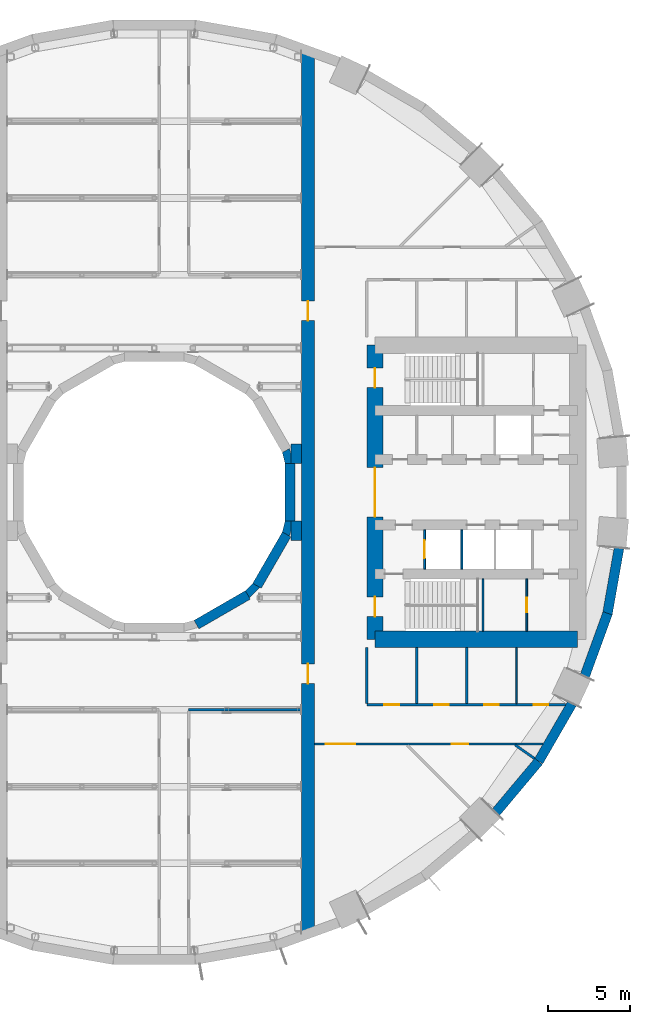
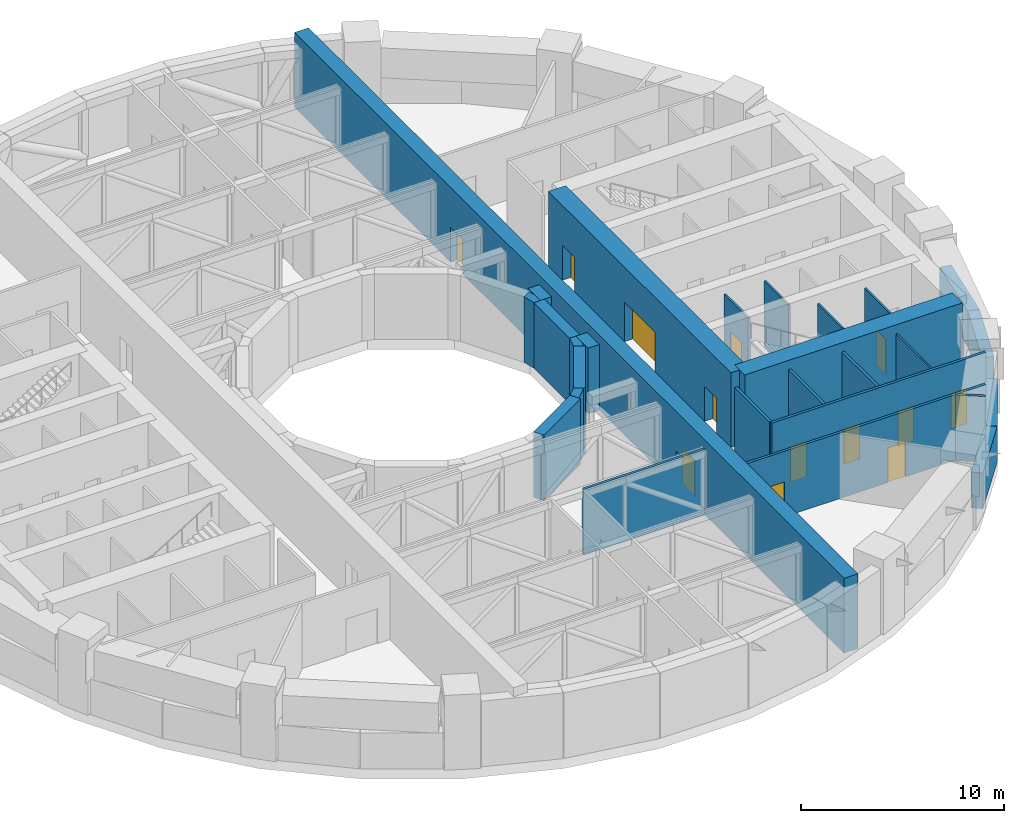
# One storey, part 15 of 21: 27 walls, 13 doors, 13 openings.
"""IFC4 building model written with IfcOpenShell, lengths in metres."""

from ifc_helpers import new_model, si_unit, direction, frame, frame_2d, origin, place, context, subcontext, project, spatial, polyline, rectangle, outline, extrude, material, layer, layer_set, type_object, element, fill, save


model = new_model("IFC4")

# Units and contexts
model_context = context("Model", 3, precision=1e-05, world=origin(), true_north=direction((0.0, 1.0)))
body_context = subcontext(model_context, "Body", "Model", "MODEL_VIEW")
ifc_project = project(units=[si_unit("LENGTHUNIT", "METRE"), si_unit("AREAUNIT", "SQUARE_METRE"), si_unit("VOLUMEUNIT", "CUBIC_METRE"), si_unit("PLANEANGLEUNIT", "RADIAN"), si_unit("MASSUNIT", "GRAM", prefix="KILO")], contexts=[model_context])

# Site, building, storey
site_placement = place(None, origin())
site = spatial("IfcSite", under=ifc_project, at=site_placement, CompositionType="ELEMENT")
building_placement = place(site_placement, origin())
building = spatial("IfcBuilding", under=site, at=building_placement, Name="Saqina Gate Tower", CompositionType="ELEMENT")
storey_placement = place(building_placement, frame((0.0, 0.0, 21.800048828125)))
storey = spatial("IfcBuildingStorey", under=building, at=storey_placement, Name="L05", CompositionType="ELEMENT", Elevation=21.800048828125)

# Wall, opening, door
ifc_material_1 = material(Name="Gypsum board on steel studs", Category="steel")
ifc_layer_1 = layer(ifc_material_1, 0.10009765625)
ifc_layer_set_1 = layer_set([ifc_layer_1], Name="CORE PARTITION")
wall_type_1 = type_object("IfcWallType", Name="CORE PARTITION", PredefinedType="PARTITIONING", material=ifc_layer_set_1)
wall_1_placement = place(storey_placement, frame((22.780029296875, -8.5, 0.0), z_axis=(0.0, 0.0, 1.0), x_axis=(0.0, 1.0, 0.0)))
wall_1 = element("IfcWall", 1, at=wall_1_placement, inside=storey, type_object=wall_type_1, Name="L05-CP-E13", PredefinedType="PARTITIONING", context=body_context, shape_type="SweptSolid", body=[
    extrude(rectangle(XDim=3.199951171875, YDim=0.10009765625, at=frame_2d((1.60009765625, 0.0))), origin(), (0.0, 0.0, 1.0), 3.949951171875),
])
opening_1_placement = place(wall_1_placement, frame((1.14990234375, 0.0, 0.0)))
opening_1 = element("IfcOpeningElement", 2, at=opening_1_placement, cuts=wall_1, Name="Opening L05-D99", PredefinedType="OPENING", context=body_context, shape_type="SweptSolid", body=[
    extrude(rectangle(XDim=0.89990234375, YDim=2.10009765625, at=frame_2d((0.449951171875, 1.050048828125))), frame((0.0, 0.06201171875, 0.0), z_axis=(0.0, -1.0, 0.0), x_axis=(1.0, 0.0, 0.0)), (0.0, 0.0, 1.0), 0.1240234375),
])
ifc_material_2 = material(Name="Steel-framed fire door leaf, EI 60", Category="steel")
door_type_1 = type_object("IfcDoorType", Name="SERVICE ROOM DOOR 900", OperationType="SINGLE_SWING_LEFT", PredefinedType="DOOR", material=ifc_material_2)
door_1_placement = place(opening_1_placement, origin())
door_1 = element("IfcDoor", 3, at=door_1_placement, inside=storey, type_object=door_type_1, Name="L05-CD-E10", OperationType="SINGLE_SWING_LEFT", OverallHeight=2.10009765625, OverallWidth=0.89990234375, PredefinedType="DOOR", context=body_context, shape_type="SweptSolid", body=[
    extrude(rectangle(XDim=0.89990234375, YDim=2.10009765625, at=frame_2d((0.449951171875, 1.050048828125))), frame((0.0, 0.02490234375, 0.0), z_axis=(0.0, -1.0, 0.0), x_axis=(1.0, 0.0, 0.0)), (0.0, 0.0, 1.0), 0.050048828125),
])
fill(opening_1, door_1)

# Walls
ifc_material_3 = material(Name="Brick masonry (red)", Category="masonry")
ifc_layer_2 = layer(ifc_material_3, 0.60009765625)
ifc_layer_set_2 = layer_set([ifc_layer_2], Name="FW-BRICK-RED")
wall_type_2 = type_object("IfcWallType", Name="FW-BRICK-RED", PredefinedType="SOLIDWALL", material=ifc_layer_set_2)
wall_2_placement = place(storey_placement, frame((20.890625, -19.5810546875, 0.0), z_axis=(0.0, 0.0, 1.0), x_axis=(0.642800844336, 0.766033337734, 0.0)))
element("IfcWall", 4, at=wall_2_placement, inside=storey, type_object=wall_type_2, Name="Facade wall L05 facet 32", PredefinedType="SOLIDWALL", context=body_context, shape_type="SweptSolid", body=[
    extrude(rectangle(XDim=4.0693359375, YDim=0.60009765625, at=frame_2d((2.03466796875, 0.0))), origin(), (0.0, 0.0, 1.0), 2.14990234375),
])
wall_3_placement = place(storey_placement, frame((23.510498046875, -16.457763671875, 0.0), z_axis=(0.0, 0.0, 1.0), x_axis=(0.500023678693, 0.866011732453, 0.0)))
element("IfcWall", 5, at=wall_3_placement, inside=storey, type_object=wall_type_2, Name="Facade wall L05 facet 33", PredefinedType="SOLIDWALL", context=body_context, shape_type="SweptSolid", body=[
    extrude(rectangle(XDim=4.069091796875, YDim=0.60009765625, at=frame_2d((2.03466796875, 0.0))), origin(), (0.0, 0.0, 1.0), 2.14990234375),
])
ifc_material_4 = material(Name="Glazed ceramic tile", Category="ceramic")
ifc_layer_3 = layer(ifc_material_4, 0.60009765625)
ifc_layer_set_3 = layer_set([ifc_layer_3], Name="FW-TILE")
wall_type_3 = type_object("IfcWallType", Name="FW-TILE", PredefinedType="SOLIDWALL", material=ifc_layer_set_3)
wall_4_placement = place(storey_placement, frame((26.327880859375, -11.255126953125, 0.0), z_axis=(0.0, 0.0, 1.0), x_axis=(0.342034744565, 0.939687306241, 0.0)))
element("IfcWall", 6, at=wall_4_placement, inside=storey, type_object=wall_type_3, Name="Facade wall L05 facet 34", PredefinedType="SOLIDWALL", context=body_context, shape_type="SweptSolid", body=[
    extrude(rectangle(XDim=4.099365234375, YDim=0.60009765625, at=frame_2d((2.0498046875, 0.0))), origin(), (0.0, 0.0, 1.0), 2.14990234375),
])
ifc_material_5 = material(Name="Glazed ceramic tile (white)", Category="ceramic")
ifc_layer_4 = layer(ifc_material_5, 0.60009765625)
ifc_layer_set_4 = layer_set([ifc_layer_4], Name="FW-TILE-WH")
wall_type_4 = type_object("IfcWallType", Name="FW-TILE-WH", PredefinedType="SOLIDWALL", material=ifc_layer_set_4)
wall_5_placement = place(storey_placement, frame((27.71630859375, -7.45361328125, 0.0), z_axis=(0.0, 0.0, 1.0), x_axis=(0.173673210505, 0.984803338719, 0.0)))
element("IfcWall", 7, at=wall_5_placement, inside=storey, type_object=wall_type_4, Name="Facade wall L05 facet 35", PredefinedType="SOLIDWALL", context=body_context, shape_type="SweptSolid", body=[
    extrude(rectangle(XDim=4.09912109375, YDim=0.60009765625, at=frame_2d((2.049560546875, 0.0))), origin(), (0.0, 0.0, 1.0), 2.14990234375),
])
ifc_material_6 = material(Name="Glazed ceramic tile", Category="ceramic")
ifc_layer_5 = layer(ifc_material_6, 0.60009765625)
ifc_layer_set_5 = layer_set([ifc_layer_5], Name="IW-TILE")
wall_type_5 = type_object("IfcWallType", Name="IW-TILE", PredefinedType="SOLIDWALL", material=ifc_layer_set_5)
for number, where, z_axis, x_axis, name in (
    (8, (2.580322265625, -8.09423828125, 0.0), (0.0, 0.0, 1.0), (0.866029693906, 0.499992569217, 0.0), "Well wall L05 facet 10"),
    (9, (6.28173828125, -5.7197265625, 0.0), (0.0, 0.0, 1.0), (0.499992569217, 0.866029693906, 0.0), "Well wall L05 facet 11"),
):
    element("IfcWall", number, at=place(storey_placement, frame(where, z_axis=z_axis, x_axis=x_axis)), inside=storey, type_object=wall_type_5, Name=name, PredefinedType="SOLIDWALL", context=body_context, shape_type="SweptSolid", body=[
        extrude(rectangle(XDim=3.625, YDim=0.60009765625, at=frame_2d((1.8125, 0.0))), origin(), (0.0, 0.0, 1.0), 3.949951171875),
    ])
wall_6_placement = place(storey_placement, frame((8.300048828125, -1.763671875, 0.0), z_axis=(0.0, 0.0, 1.0), x_axis=(0.0, 1.0, 0.0)))
element("IfcWall", 10, at=wall_6_placement, inside=storey, type_object=wall_type_5, Name="Well wall L05 facet 12", PredefinedType="SOLIDWALL", context=body_context, shape_type="SweptSolid", body=[
    extrude(rectangle(XDim=3.52734375, YDim=0.60009765625, at=frame_2d((1.763671875, 0.0))), origin(), (0.0, 0.0, 1.0), 3.949951171875),
])

# Wall, opening, door
ifc_material_7 = material(Name="Autoclaved aerated concrete block", Category="concrete")
ifc_layer_6 = layer(ifc_material_7, 0.1201171875)
ifc_layer_set_6 = layer_set([ifc_layer_6], Name="SHAFT PARTITION")
wall_type_6 = type_object("IfcWallType", Name="SHAFT PARTITION", PredefinedType="PARTITIONING", material=ifc_layer_set_6)
wall_7_placement = place(storey_placement, frame((16.530029296875, -4.699951171875, 0.0), z_axis=(0.0, 0.0, 1.0), x_axis=(0.0, 1.0, 0.0)))
wall_7 = element("IfcWall", 11, at=wall_7_placement, inside=storey, type_object=wall_type_6, Name="L05-CP-E05", PredefinedType="PARTITIONING", context=body_context, shape_type="SweptSolid", body=[
    extrude(rectangle(XDim=2.39990234375, YDim=0.1201171875, at=frame_2d((1.199951171875, 0.0))), origin(), (0.0, 0.0, 1.0), 3.949951171875),
])
opening_2_placement = place(wall_7_placement, frame((0.64990234375, 0.0, 0.0)))
opening_2 = element("IfcOpeningElement", 12, at=opening_2_placement, cuts=wall_7, Name="Opening L05-LD2", PredefinedType="OPENING", context=body_context, shape_type="SweptSolid", body=[
    extrude(rectangle(XDim=1.10009765625, YDim=2.10009765625, at=frame_2d((0.550048828125, 1.050048828125))), frame((0.0, 0.072021484375, 0.0), z_axis=(0.0, -1.0, 0.0), x_axis=(1.0, 0.0, 0.0)), (0.0, 0.0, 1.0), 0.14404296875),
])
ifc_material_8 = material(Name="Stainless steel", Category="steel")
door_type_2 = type_object("IfcDoorType", Name="LANDING DOOR", OperationType="DOUBLE_DOOR_SLIDING", PredefinedType="DOOR", material=ifc_material_8)
door_2_placement = place(opening_2_placement, origin())
door_2 = element("IfcDoor", 13, at=door_2_placement, inside=storey, type_object=door_type_2, Name="LANDING DOOR FF1", OperationType="DOUBLE_DOOR_SLIDING", OverallHeight=2.10009765625, OverallWidth=1.10009765625, PredefinedType="DOOR", context=body_context, shape_type="SweptSolid", body=[
    extrude(rectangle(XDim=1.10009765625, YDim=2.10009765625, at=frame_2d((0.550048828125, 1.050048828125))), frame((0.0, 0.02490234375, 0.0), z_axis=(0.0, -1.0, 0.0), x_axis=(1.0, 0.0, 0.0)), (0.0, 0.0, 1.0), 0.050048828125),
])
fill(opening_2, door_2)

# Walls
wall_8_placement = place(storey_placement, frame((18.81005859375, -4.699951171875, 0.0), z_axis=(0.0, 0.0, 1.0), x_axis=(0.0, 1.0, 0.0)))
element("IfcWall", 14, at=wall_8_placement, inside=storey, type_object=wall_type_6, Name="L05-CP-E06", PredefinedType="PARTITIONING", context=body_context, shape_type="SweptSolid", body=[
    extrude(rectangle(XDim=2.39990234375, YDim=0.1201171875, at=frame_2d((1.199951171875, 0.0))), origin(), (0.0, 0.0, 1.0), 3.949951171875),
])
ifc_material_9 = material(Name="Gypsum board on steel studs, 100 mm", Category="steel")
ifc_layer_7 = layer(ifc_material_9, 0.10009765625)
ifc_layer_set_7 = layer_set([ifc_layer_7], Name="SPECIAL PARTITION 100")
wall_type_7 = type_object("IfcWallType", Name="SPECIAL PARTITION 100", PredefinedType="PARTITIONING", material=ifc_layer_set_7)
wall_9_placement = place(storey_placement, frame((22.14990234375, -12.925048828125, 0.0), z_axis=(0.0, 0.0, 1.0), x_axis=(0.0, 1.0, 0.0)))
element("IfcWall", 15, at=wall_9_placement, inside=storey, type_object=wall_type_7, Name="PARTITION 031", PredefinedType="PARTITIONING", context=body_context, shape_type="SweptSolid", body=[
    extrude(rectangle(XDim=3.425048828125, YDim=0.10009765625, at=frame_2d((1.71240234375, 0.0))), origin(), (0.0, 0.0, 1.0), 3.949951171875),
])
ifc_material_10 = material(Name="Gypsum board on steel studs, 150 mm, fire rated", Category="steel")
ifc_layer_8 = layer(ifc_material_10, 0.14990234375)
ifc_layer_set_8 = layer_set([ifc_layer_8], Name="SPECIAL PARTITION EI 30 150")
wall_type_8 = type_object("IfcWallType", Name="SPECIAL PARTITION EI 30 150", PredefinedType="PARTITIONING", material=ifc_layer_set_8)
wall_10_placement = place(storey_placement, frame((13.0, -12.925048828125, 0.0), z_axis=(0.0, 0.0, 1.0), x_axis=(0.0, 1.0, 0.0)))
element("IfcWall", 16, at=wall_10_placement, inside=storey, type_object=wall_type_8, Name="PARTITION 037", PredefinedType="PARTITIONING", context=body_context, shape_type="SweptSolid", body=[
    extrude(rectangle(XDim=3.425048828125, YDim=0.14990234375, at=frame_2d((1.71240234375, 0.0))), origin(), (0.0, 0.0, 1.0), 3.949951171875),
])
ifc_material_11 = material(Name="Masonry block and plaster, 150 mm, fire rated", Category="masonry")
ifc_layer_9 = layer(ifc_material_11, 0.14990234375)
ifc_layer_set_9 = layer_set([ifc_layer_9], Name="SPECIAL PARTITION EI 60 150")
wall_type_9 = type_object("IfcWallType", Name="SPECIAL PARTITION EI 60 150", PredefinedType="PARTITIONING", material=ifc_layer_set_9)
wall_11_placement = place(storey_placement, frame((22.07080078125, -15.45458984375, 0.0), z_axis=(0.0, 0.0, 1.0), x_axis=(0.819334469193, -0.573315818369, 0.0)))
element("IfcWall", 17, at=wall_11_placement, inside=storey, type_object=wall_type_9, Name="PARTITION 003", PredefinedType="PARTITIONING", context=body_context, shape_type="SweptSolid", body=[
    extrude(rectangle(XDim=1.453857421875, YDim=0.14990234375, at=frame_2d((0.72705078125, 0.0))), origin(), (0.0, 0.0, 1.0), 3.949951171875),
])

# Wall, openings, doors
wall_12_placement = place(storey_placement, frame((9.800048828125, -15.39990234375, 0.0), z_axis=(0.0, 0.0, 1.0), x_axis=(1.0, 0.0, 0.0)))
wall_12 = element("IfcWall", 18, at=wall_12_placement, inside=storey, type_object=wall_type_9, Name="PARTITION 009", PredefinedType="PARTITIONING", context=body_context, shape_type="SweptSolid", body=[
    extrude(rectangle(XDim=13.974853515625, YDim=0.14990234375, at=frame_2d((6.9873046875, 0.0))), origin(), (0.0, 0.0, 1.0), 3.949951171875),
])
opening_3_placement = place(wall_12_placement, frame((0.701904296875, 0.0, 0.0)))
opening_3 = element("IfcOpeningElement", 19, at=opening_3_placement, cuts=wall_12, Name="Opening L05-D31", PredefinedType="OPENING", context=body_context, shape_type="SweptSolid", body=[
    extrude(rectangle(XDim=1.800048828125, YDim=2.10009765625, at=frame_2d((0.89990234375, 1.050048828125))), frame((0.0, 0.0869140625, 0.0), z_axis=(0.0, -1.0, 0.0), x_axis=(1.0, 0.0, 0.0)), (0.0, 0.0, 1.0), 0.173828125),
])
opening_4_placement = place(wall_12_placement, frame((8.396484375, 0.0, 0.0)))
opening_4 = element("IfcOpeningElement", 20, at=opening_4_placement, cuts=wall_12, Name="Opening L05-D33", PredefinedType="OPENING", context=body_context, shape_type="SweptSolid", body=[
    extrude(rectangle(XDim=1.0, YDim=2.10009765625, at=frame_2d((0.5, 1.050048828125))), frame((0.0, 0.0869140625, 0.0), z_axis=(0.0, -1.0, 0.0), x_axis=(1.0, 0.0, 0.0)), (0.0, 0.0, 1.0), 0.173828125),
])
ifc_material_12 = material(Name="Steel-framed fire door leaf, EI 60", Category="steel")
door_type_3 = type_object("IfcDoorType", Name="SPECIAL DOOR 1000 FIRE EI 60", OperationType="SINGLE_SWING_LEFT", PredefinedType="DOOR", material=ifc_material_12)
door_3_placement = place(opening_4_placement, frame((1.0, 0.0, 0.0), z_axis=(0.0, 0.0, 1.0), x_axis=(-1.0, 0.0, 0.0)))
door_3 = element("IfcDoor", 21, at=door_3_placement, inside=storey, type_object=door_type_3, Name="DOOR L05-D33", OperationType="SINGLE_SWING_LEFT", OverallHeight=2.10009765625, OverallWidth=1.0, PredefinedType="DOOR", context=body_context, shape_type="SweptSolid", body=[
    extrude(rectangle(XDim=1.0, YDim=2.10009765625, at=frame_2d((0.5, 1.050048828125))), frame((0.0, 0.02490234375, 0.0), z_axis=(0.0, -1.0, 0.0), x_axis=(1.0, 0.0, 0.0)), (0.0, 0.0, 1.0), 0.050048828125),
])
fill(opening_4, door_3)
ifc_material_13 = material(Name="Steel-framed fire door leaf, EI 60", Category="steel")
door_type_4 = type_object("IfcDoorType", Name="SPECIAL DOUBLE DOOR 1800 FIRE EI 60", OperationType="DOUBLE_DOOR_SINGLE_SWING", PredefinedType="DOOR", material=ifc_material_13)
door_4_placement = place(opening_3_placement, origin())
door_4 = element("IfcDoor", 22, at=door_4_placement, inside=storey, type_object=door_type_4, Name="DOOR L05-D31", OperationType="DOUBLE_DOOR_SINGLE_SWING", OverallHeight=2.10009765625, OverallWidth=1.800048828125, PredefinedType="DOOR", context=body_context, shape_type="SweptSolid", body=[
    extrude(rectangle(XDim=1.800048828125, YDim=2.10009765625, at=frame_2d((0.89990234375, 1.050048828125))), frame((0.0, 0.02490234375, 0.0), z_axis=(0.0, -1.0, 0.0), x_axis=(1.0, 0.0, 0.0)), (0.0, 0.0, 1.0), 0.050048828125),
])
fill(opening_3, door_4)

# Wall
wall_13_placement = place(storey_placement, frame((2.10009765625, -13.300048828125, 0.0), z_axis=(0.0, 0.0, 1.0), x_axis=(1.0, 0.0, 0.0)))
element("IfcWall", 23, at=wall_13_placement, inside=storey, type_object=wall_type_9, Name="PARTITION 012", PredefinedType="PARTITIONING", context=body_context, shape_type="SweptSolid", body=[
    extrude(rectangle(XDim=6.89990234375, YDim=0.14990234375, at=frame_2d((3.449951171875, 0.0))), origin(), (0.0, 0.0, 1.0), 3.949951171875),
])

# Wall, openings, doors
wall_14_placement = place(storey_placement, frame((13.0, -13.0, 0.0), z_axis=(0.0, 0.0, 1.0), x_axis=(1.0, 0.0, 0.0)))
wall_14 = element("IfcWall", 24, at=wall_14_placement, inside=storey, type_object=wall_type_9, Name="PARTITION 014", PredefinedType="PARTITIONING", context=body_context, shape_type="SweptSolid", body=[
    extrude(rectangle(XDim=12.159912109375, YDim=0.14990234375, at=frame_2d((6.080078125, 0.0))), origin(), (0.0, 0.0, 1.0), 3.949951171875),
])
opening_5_placement = place(wall_14_placement, frame((1.074951171875, 0.0, 0.0)))
opening_5 = element("IfcOpeningElement", 25, at=opening_5_placement, cuts=wall_14, Name="Opening L05-D32", PredefinedType="OPENING", context=body_context, shape_type="SweptSolid", body=[
    extrude(rectangle(XDim=0.89990234375, YDim=2.10009765625, at=frame_2d((0.449951171875, 1.050048828125))), frame((0.0, 0.0869140625, 0.0), z_axis=(0.0, -1.0, 0.0), x_axis=(1.0, 0.0, 0.0)), (0.0, 0.0, 1.0), 0.173828125),
])
opening_6_placement = place(wall_14_placement, frame((4.125, 0.0, 0.0)))
opening_6 = element("IfcOpeningElement", 26, at=opening_6_placement, cuts=wall_14, Name="Opening L05-D34", PredefinedType="OPENING", context=body_context, shape_type="SweptSolid", body=[
    extrude(rectangle(XDim=0.89990234375, YDim=2.10009765625, at=frame_2d((0.449951171875, 1.050048828125))), frame((0.0, 0.0869140625, 0.0), z_axis=(0.0, -1.0, 0.0), x_axis=(1.0, 0.0, 0.0)), (0.0, 0.0, 1.0), 0.173828125),
])
opening_7_placement = place(wall_14_placement, frame((7.175048828125, 0.0, 0.0)))
opening_7 = element("IfcOpeningElement", 27, at=opening_7_placement, cuts=wall_14, Name="Opening L05-D35", PredefinedType="OPENING", context=body_context, shape_type="SweptSolid", body=[
    extrude(rectangle(XDim=0.89990234375, YDim=2.10009765625, at=frame_2d((0.449951171875, 1.050048828125))), frame((0.0, 0.0869140625, 0.0), z_axis=(0.0, -1.0, 0.0), x_axis=(1.0, 0.0, 0.0)), (0.0, 0.0, 1.0), 0.173828125),
])
opening_8_placement = place(wall_14_placement, frame((10.205078125, 0.0, 0.0)))
opening_8 = element("IfcOpeningElement", 28, at=opening_8_placement, cuts=wall_14, Name="Opening L05-D36", PredefinedType="OPENING", context=body_context, shape_type="SweptSolid", body=[
    extrude(rectangle(XDim=0.89990234375, YDim=2.10009765625, at=frame_2d((0.449951171875, 1.050048828125))), frame((0.0, 0.0869140625, 0.0), z_axis=(0.0, -1.0, 0.0), x_axis=(1.0, 0.0, 0.0)), (0.0, 0.0, 1.0), 0.173828125),
])
ifc_material_14 = material(Name="Steel-framed fire door leaf, EI 60", Category="steel")
door_type_5 = type_object("IfcDoorType", Name="SPECIAL DOOR 900 FIRE EI 60", OperationType="SINGLE_SWING_LEFT", PredefinedType="DOOR", material=ifc_material_14)
door_5_placement = place(opening_5_placement, origin())
door_5 = element("IfcDoor", 29, at=door_5_placement, inside=storey, type_object=door_type_5, Name="DOOR L05-D32", OperationType="SINGLE_SWING_LEFT", OverallHeight=2.10009765625, OverallWidth=0.89990234375, PredefinedType="DOOR", context=body_context, shape_type="SweptSolid", body=[
    extrude(rectangle(XDim=0.89990234375, YDim=2.10009765625, at=frame_2d((0.449951171875, 1.050048828125))), frame((0.0, 0.02490234375, 0.0), z_axis=(0.0, -1.0, 0.0), x_axis=(1.0, 0.0, 0.0)), (0.0, 0.0, 1.0), 0.050048828125),
])
fill(opening_5, door_5)
door_6_placement = place(opening_6_placement, origin())
door_6 = element("IfcDoor", 30, at=door_6_placement, inside=storey, type_object=door_type_5, Name="DOOR L05-D34", OperationType="SINGLE_SWING_LEFT", OverallHeight=2.10009765625, OverallWidth=0.89990234375, PredefinedType="DOOR", context=body_context, shape_type="SweptSolid", body=[
    extrude(rectangle(XDim=0.89990234375, YDim=2.10009765625, at=frame_2d((0.449951171875, 1.050048828125))), frame((0.0, 0.02490234375, 0.0), z_axis=(0.0, -1.0, 0.0), x_axis=(1.0, 0.0, 0.0)), (0.0, 0.0, 1.0), 0.050048828125),
])
fill(opening_6, door_6)
door_7_placement = place(opening_7_placement, origin())
door_7 = element("IfcDoor", 31, at=door_7_placement, inside=storey, type_object=door_type_5, Name="DOOR L05-D35", OperationType="SINGLE_SWING_RIGHT", OverallHeight=2.10009765625, OverallWidth=0.89990234375, PredefinedType="DOOR", context=body_context, shape_type="SweptSolid", body=[
    extrude(rectangle(XDim=0.89990234375, YDim=2.10009765625, at=frame_2d((0.449951171875, 1.050048828125))), frame((0.0, 0.02490234375, 0.0), z_axis=(0.0, -1.0, 0.0), x_axis=(1.0, 0.0, 0.0)), (0.0, 0.0, 1.0), 0.050048828125),
])
fill(opening_7, door_7)
door_8_placement = place(opening_8_placement, origin())
door_8 = element("IfcDoor", 32, at=door_8_placement, inside=storey, type_object=door_type_5, Name="DOOR L05-D36", OperationType="SINGLE_SWING_RIGHT", OverallHeight=2.10009765625, OverallWidth=0.89990234375, PredefinedType="DOOR", context=body_context, shape_type="SweptSolid", body=[
    extrude(rectangle(XDim=0.89990234375, YDim=2.10009765625, at=frame_2d((0.449951171875, 1.050048828125))), frame((0.0, 0.02490234375, 0.0), z_axis=(0.0, -1.0, 0.0), x_axis=(1.0, 0.0, 0.0)), (0.0, 0.0, 1.0), 0.050048828125),
])
fill(opening_8, door_8)

# Walls
for number, where, z_axis, x_axis, name in (
    (33, (19.10009765625, -12.925048828125, 0.0), (0.0, 0.0, 1.0), (0.0, 1.0, 0.0), "PARTITION 034"),
    (34, (16.050048828125, -12.925048828125, 0.0), (0.0, 0.0, 1.0), (0.0, 1.0, 0.0), "PARTITION 035"),
):
    element("IfcWall", number, at=place(storey_placement, frame(where, z_axis=z_axis, x_axis=x_axis)), inside=storey, type_object=wall_type_9, Name=name, PredefinedType="PARTITIONING", context=body_context, shape_type="SweptSolid", body=[
        extrude(rectangle(XDim=3.425048828125, YDim=0.14990234375, at=frame_2d((1.71240234375, 0.0))), origin(), (0.0, 0.0, 1.0), 3.949951171875),
    ])
ifc_material_15 = material(Name="Autoclaved aerated concrete block", Category="concrete")
ifc_layer_10 = layer(ifc_material_15, 0.10009765625)
ifc_layer_set_10 = layer_set([ifc_layer_10], Name="STAIR ENCLOSURE WALL")
wall_type_10 = type_object("IfcWallType", Name="STAIR ENCLOSURE WALL", PredefinedType="PARTITIONING", material=ifc_layer_set_10)
wall_15_placement = place(storey_placement, frame((20.110107421875, -8.5, 0.0), z_axis=(0.0, 0.0, 1.0), x_axis=(0.0, 1.0, 0.0)))
element("IfcWall", 35, at=wall_15_placement, inside=storey, type_object=wall_type_10, Name="L05-CP-E12", PredefinedType="PARTITIONING", context=body_context, shape_type="SweptSolid", body=[
    extrude(rectangle(XDim=3.199951171875, YDim=0.10009765625, at=frame_2d((1.60009765625, 0.0))), origin(), (0.0, 0.0, 1.0), 3.949951171875),
])

# Wall, openings, doors
ifc_material_16 = material(Name="Concrete C70/85", Category="concrete")
ifc_layer_11 = layer(ifc_material_16, 1.0)
ifc_layer_set_11 = layer_set([ifc_layer_11], Name="Concrete C70/85")
wall_type_11 = type_object("IfcWallType", Name="STR-CORE WALL-P-O", PredefinedType="SHEAR", material=ifc_layer_set_11)
wall_16_placement = place(storey_placement, frame((13.5, -9.0, 0.0), z_axis=(0.0, 0.0, 1.0), x_axis=(0.0, 1.0, 0.0)))
wall_16 = element("IfcWall", 36, at=wall_16_placement, inside=storey, type_object=wall_type_11, Name="CORE WALL L05 E-W1", PredefinedType="SHEAR", context=body_context, shape_type="SweptSolid", body=[
    extrude(rectangle(XDim=18.0, YDim=1.0, at=frame_2d((9.0, 0.0))), origin(), (0.0, 0.0, 1.0), 4.5),
])
opening_9_placement = place(wall_16_placement, frame((15.39990234375, 0.0, 0.0)))
opening_9 = element("IfcOpeningElement", 37, at=opening_9_placement, cuts=wall_16, Name="Opening L05-D102", PredefinedType="OPENING", context=body_context, shape_type="SweptSolid", body=[
    extrude(rectangle(XDim=1.199951171875, YDim=2.10009765625, at=frame_2d((0.60009765625, 1.050048828125))), frame((0.0, 0.511962890625, 0.0), z_axis=(0.0, -1.0, 0.0), x_axis=(1.0, 0.0, 0.0)), (0.0, 0.0, 1.0), 1.02392578125),
])
opening_10_placement = place(wall_16_placement, frame((1.39990234375, 0.0, 0.0)))
opening_10 = element("IfcOpeningElement", 38, at=opening_10_placement, cuts=wall_16, Name="Opening L05-D103", PredefinedType="OPENING", context=body_context, shape_type="SweptSolid", body=[
    extrude(rectangle(XDim=1.199951171875, YDim=2.10009765625, at=frame_2d((0.60009765625, 1.050048828125))), frame((0.0, 0.511962890625, 0.0), z_axis=(0.0, -1.0, 0.0), x_axis=(1.0, 0.0, 0.0)), (0.0, 0.0, 1.0), 1.02392578125),
])
opening_11_placement = place(wall_16_placement, frame((7.5, 0.0, 0.0)))
opening_11 = element("IfcOpeningElement", 39, at=opening_11_placement, cuts=wall_16, Name="Opening L05-D104", PredefinedType="OPENING", context=body_context, shape_type="SweptSolid", body=[
    extrude(rectangle(XDim=3.0, YDim=2.39990234375, at=frame_2d((1.5, 1.199951171875))), frame((0.0, 0.511962890625, 0.0), z_axis=(0.0, -1.0, 0.0), x_axis=(1.0, 0.0, 0.0)), (0.0, 0.0, 1.0), 1.02392578125),
])
ifc_material_17 = material(Name="Steel", Category="steel")
door_type_6 = type_object("IfcDoorType", Name="FIRE DOOR EI 60", OperationType="SINGLE_SWING_LEFT", PredefinedType="DOOR", material=ifc_material_17)
door_9_placement = place(opening_9_placement, frame((1.199951171875, 0.0, 0.0), z_axis=(0.0, 0.0, 1.0), x_axis=(-1.0, 0.0, 0.0)))
door_9 = element("IfcDoor", 40, at=door_9_placement, inside=storey, type_object=door_type_6, Name="L05-CD-E13", OperationType="SINGLE_SWING_LEFT", OverallHeight=2.10009765625, OverallWidth=1.199951171875, PredefinedType="DOOR", context=body_context, shape_type="SweptSolid", body=[
    extrude(rectangle(XDim=1.199951171875, YDim=2.10009765625, at=frame_2d((0.60009765625, 1.050048828125))), frame((0.0, 0.02490234375, 0.0), z_axis=(0.0, -1.0, 0.0), x_axis=(1.0, 0.0, 0.0)), (0.0, 0.0, 1.0), 0.050048828125),
])
fill(opening_9, door_9)
door_10_placement = place(opening_10_placement, frame((1.199951171875, 0.0, 0.0), z_axis=(0.0, 0.0, 1.0), x_axis=(-1.0, 0.0, 0.0)))
door_10 = element("IfcDoor", 41, at=door_10_placement, inside=storey, type_object=door_type_6, Name="L05-CD-E14", OperationType="SINGLE_SWING_RIGHT", OverallHeight=2.10009765625, OverallWidth=1.199951171875, PredefinedType="DOOR", context=body_context, shape_type="SweptSolid", body=[
    extrude(rectangle(XDim=1.199951171875, YDim=2.10009765625, at=frame_2d((0.60009765625, 1.050048828125))), frame((0.0, 0.02490234375, 0.0), z_axis=(0.0, -1.0, 0.0), x_axis=(1.0, 0.0, 0.0)), (0.0, 0.0, 1.0), 0.050048828125),
])
fill(opening_10, door_10)
ifc_material_18 = material(Name="Steel and fire-resisting glass", Category="steel")
door_type_7 = type_object("IfcDoorType", Name="LOBBY SCREEN DOOR", OperationType="DOUBLE_DOOR_SLIDING", PredefinedType="DOOR", material=ifc_material_18)
door_11_placement = place(opening_11_placement, origin())
door_11 = element("IfcDoor", 42, at=door_11_placement, inside=storey, type_object=door_type_7, Name="L05-CD-E15", OperationType="DOUBLE_DOOR_SLIDING", OverallHeight=2.39990234375, OverallWidth=3.0, PredefinedType="DOOR", context=body_context, shape_type="SweptSolid", body=[
    extrude(rectangle(XDim=3.0, YDim=2.39990234375, at=frame_2d((1.5, 1.199951171875))), frame((0.0, 0.02490234375, 0.0), z_axis=(0.0, -1.0, 0.0), x_axis=(1.0, 0.0, 0.0)), (0.0, 0.0, 1.0), 0.050048828125),
])
fill(opening_11, door_11)

# Walls
wall_17_placement = place(storey_placement, frame((13.5, -9.0, 0.0), z_axis=(0.0, 0.0, 1.0), x_axis=(1.0, 0.0, 0.0)))
element("IfcWall", 43, at=wall_17_placement, inside=storey, type_object=wall_type_11, Name="CORE WALL L05 E-SE", PredefinedType="SHEAR", context=body_context, shape_type="SweptSolid", body=[
    extrude(rectangle(XDim=12.39990234375, YDim=1.0, at=frame_2d((6.199951171875, 0.0))), origin(), (0.0, 0.0, 1.0), 4.5),
])
ifc_material_19 = material(Name="Concrete C70/85", Category="concrete")
ifc_layer_12 = layer(ifc_material_19, 0.639892578125)
ifc_layer_set_12 = layer_set([ifc_layer_12], Name="Concrete C70/85")
wall_type_12 = type_object("IfcWallType", Name="STR-PIER-HEAD", PredefinedType="SHEAR", material=ifc_layer_set_12)
for number, where, z_axis, x_axis, name in (
    (44, (8.679931640625, 1.763671875, 0.0), (0.0, 0.0, 1.0), (0.0, 1.0, 0.0), "CORE PIER HEAD 01"),
    (45, (8.679931640625, -2.963623046875, 0.0), (0.0, 0.0, 1.0), (0.0, 1.0, 0.0), "CORE PIER HEAD 12"),
):
    element("IfcWall", number, at=place(storey_placement, frame(where, z_axis=z_axis, x_axis=x_axis)), inside=storey, type_object=wall_type_12, Name=name, PredefinedType="SHEAR", context=body_context, shape_type="SweptSolid", body=[
        extrude(rectangle(XDim=1.199951171875, YDim=0.639892578125, at=frame_2d((0.60009765625, 0.0))), origin(), (0.0, 0.0, 1.0), 3.949951171875),
    ])

# Wall, openings, doors
ifc_material_20 = material(Name="Concrete C70/85", Category="concrete")
ifc_layer_13 = layer(ifc_material_20, 0.800048828125)
ifc_layer_set_13 = layer_set([ifc_layer_13], Name="Concrete C70/85")
wall_type_13 = type_object("IfcWallType", Name="STR-PIER-PASSAGE", PredefinedType="SHEAR", material=ifc_layer_set_13)
wall_18_placement = place(storey_placement, frame((9.39990234375, -27.076904296875, 0.0), z_axis=(0.0, 0.0, 1.0), x_axis=(0.0, 1.0, 0.0)))
wall_18 = element("IfcWall", 46, at=wall_18_placement, inside=storey, type_object=wall_type_13, Name="L05-FLKE", PredefinedType="SHEAR", context=body_context, shape_type="SweptSolid", body=[
    extrude(rectangle(XDim=54.15380859375, YDim=0.800048828125, at=frame_2d((27.076904296875, 0.0))), origin(), (0.0, 0.0, 1.0), 4.5),
])
opening_12_placement = place(wall_18_placement, frame((15.376708984375, 0.0, 0.0)))
opening_12 = element("IfcOpeningElement", 47, at=opening_12_placement, cuts=wall_18, Name="Opening L05-D37", PredefinedType="OPENING", context=body_context, shape_type="SweptSolid", body=[
    extrude(rectangle(XDim=1.199951171875, YDim=2.10009765625, at=frame_2d((0.60009765625, 1.050048828125))), frame((0.0, 0.412109375, 0.0), z_axis=(0.0, -1.0, 0.0), x_axis=(1.0, 0.0, 0.0)), (0.0, 0.0, 1.0), 0.823974609375),
])
opening_13_placement = place(wall_18_placement, frame((37.576904296875, 0.0, 0.0)))
opening_13 = element("IfcOpeningElement", 48, at=opening_13_placement, cuts=wall_18, Name="Opening L05-D38", PredefinedType="OPENING", context=body_context, shape_type="SweptSolid", body=[
    extrude(rectangle(XDim=1.199951171875, YDim=2.10009765625, at=frame_2d((0.60009765625, 1.050048828125))), frame((0.0, 0.412109375, 0.0), z_axis=(0.0, -1.0, 0.0), x_axis=(1.0, 0.0, 0.0)), (0.0, 0.0, 1.0), 0.823974609375),
])
ifc_material_21 = material(Name="Steel-framed fire door leaf, EI 60", Category="steel")
door_type_8 = type_object("IfcDoorType", Name="SPECIAL DOOR 1200 FIRE EI 60", OperationType="SINGLE_SWING_LEFT", PredefinedType="DOOR", material=ifc_material_21)
door_12_placement = place(opening_12_placement, origin())
door_12 = element("IfcDoor", 49, at=door_12_placement, inside=storey, type_object=door_type_8, Name="DOOR L05-D37", OperationType="SINGLE_SWING_LEFT", OverallHeight=2.10009765625, OverallWidth=1.199951171875, PredefinedType="DOOR", context=body_context, shape_type="SweptSolid", body=[
    extrude(rectangle(XDim=1.199951171875, YDim=2.10009765625, at=frame_2d((0.60009765625, 1.050048828125))), frame((0.0, 0.02490234375, 0.0), z_axis=(0.0, -1.0, 0.0), x_axis=(1.0, 0.0, 0.0)), (0.0, 0.0, 1.0), 0.050048828125),
])
fill(opening_12, door_12)
door_13_placement = place(opening_13_placement, origin())
door_13 = element("IfcDoor", 50, at=door_13_placement, inside=storey, type_object=door_type_8, Name="DOOR L05-D38", OperationType="SINGLE_SWING_RIGHT", OverallHeight=2.10009765625, OverallWidth=1.199951171875, PredefinedType="DOOR", context=body_context, shape_type="SweptSolid", body=[
    extrude(rectangle(XDim=1.199951171875, YDim=2.10009765625, at=frame_2d((0.60009765625, 1.050048828125))), frame((0.0, 0.02490234375, 0.0), z_axis=(0.0, -1.0, 0.0), x_axis=(1.0, 0.0, 0.0)), (0.0, 0.0, 1.0), 0.050048828125),
])
fill(opening_13, door_13)

# Walls
ifc_material_22 = material(Name="Glazed ceramic tile", Category="ceramic")
wall_type_14 = type_object("IfcWallType", Name="TILE PIER COPING", PredefinedType="SOLIDWALL", material=ifc_material_22)
wall_19_placement = place(storey_placement, origin())
element("IfcWall", 51, at=wall_19_placement, inside=storey, type_object=wall_type_14, Name="Well pier cap L05 column 1", PredefinedType="SOLIDWALL", context=body_context, shape_type="SweptSolid", body=[
    extrude(outline(polyline([(8.360107421875, 2.345458984375), (8.27001953125, 2.681884765625), (7.83447265625, 2.430419921875), (8.0, 1.763671875), (8.360107421875, 1.763671875), (8.360107421875, 2.345458984375)])), origin(), (0.0, 0.0, 1.0), 3.949951171875),
])
wall_20_placement = place(storey_placement, origin())
element("IfcWall", 52, at=wall_20_placement, inside=storey, type_object=wall_type_14, Name="Well pier cap L05 column 11", PredefinedType="SOLIDWALL", context=body_context, shape_type="SweptSolid", body=[
    extrude(outline(polyline([(5.821044921875, -6.45751953125), (6.45751953125, -5.821044921875), (6.02197265625, -5.569580078125), (5.569580078125, -6.02197265625), (5.821044921875, -6.45751953125)])), origin(), (0.0, 0.0, 1.0), 3.949951171875),
])
wall_21_placement = place(storey_placement, origin())
element("IfcWall", 53, at=wall_21_placement, inside=storey, type_object=wall_type_14, Name="Well pier cap L05 column 12", PredefinedType="SOLIDWALL", context=body_context, shape_type="SweptSolid", body=[
    extrude(outline(polyline([(8.360107421875, -1.763671875), (8.0, -1.763671875), (7.83447265625, -2.430419921875), (8.27001953125, -2.681884765625), (8.360107421875, -2.345458984375), (8.360107421875, -1.763671875)])), origin(), (0.0, 0.0, 1.0), 3.949951171875),
])

save(model, "model.ifc")
